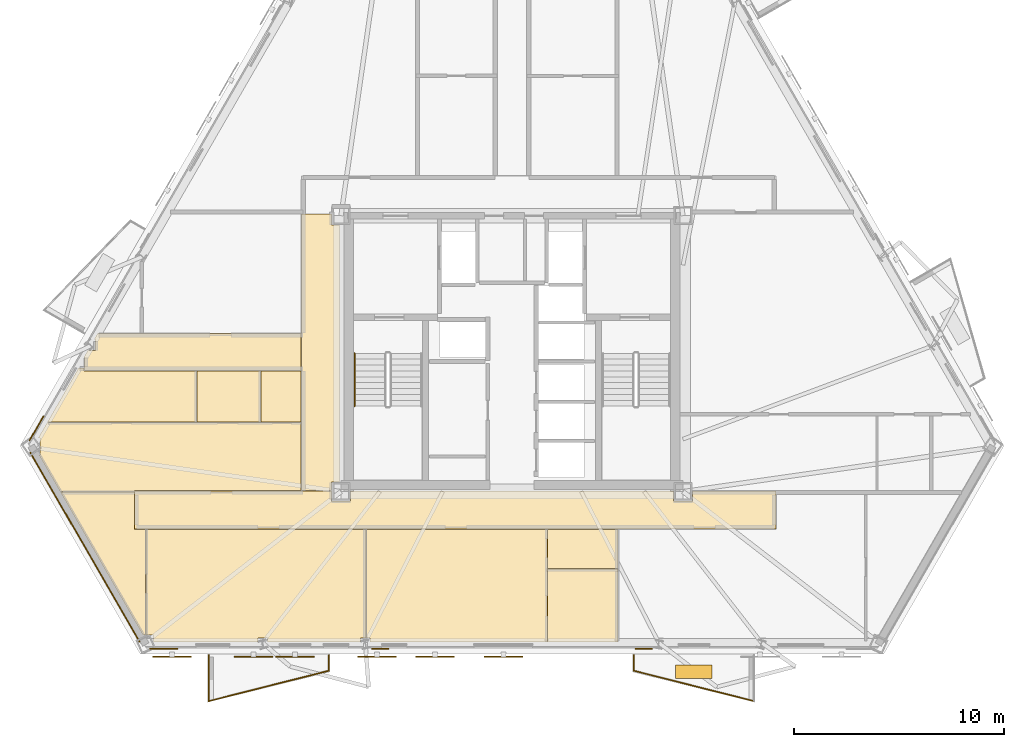
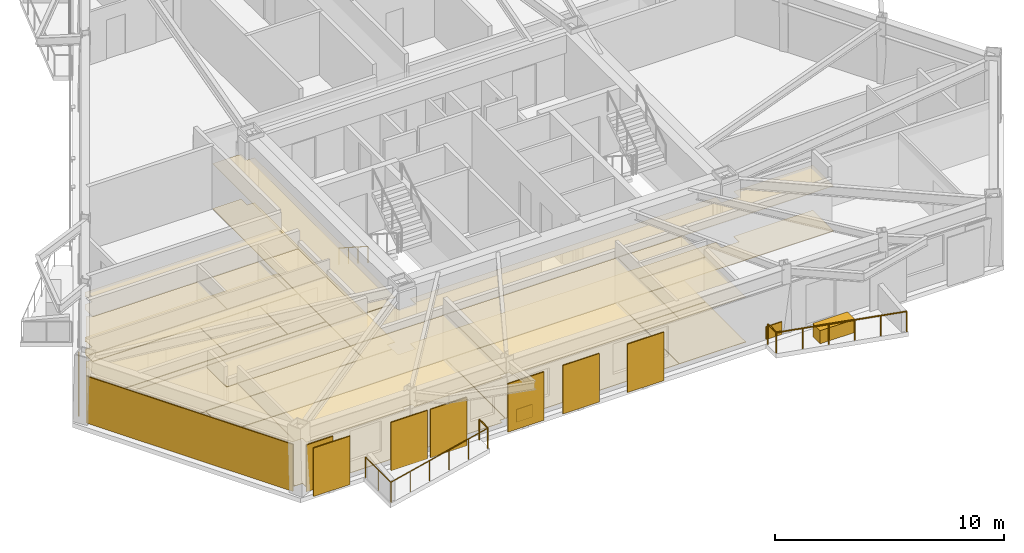
# One storey, part 7 of 9: 30 coverings, 6 railings, 6 shading devices.
"""IFC4 building model written with IfcOpenShell, lengths in metres."""

from ifc_helpers import new_model, si_unit, direction, frame, origin, origin_2d, place, context, subcontext, project, spatial, polyline, rectangle, circle, outline, extrude, material, layer, layer_set, type_object, element, save


model = new_model("IFC4")

# Units and contexts
model_context = context("Model", 3, precision=1e-05, world=origin(), true_north=direction((0.0, 1.0)))
body_context = subcontext(model_context, "Body", "Model", "MODEL_VIEW")
ifc_project = project(units=[si_unit("LENGTHUNIT", "METRE"), si_unit("AREAUNIT", "SQUARE_METRE"), si_unit("VOLUMEUNIT", "CUBIC_METRE"), si_unit("PLANEANGLEUNIT", "RADIAN"), si_unit("MASSUNIT", "GRAM", prefix="KILO")], contexts=[model_context])

# Site, building, storey
site_placement = place(None, origin())
site = spatial("IfcSite", under=ifc_project, at=site_placement, CompositionType="ELEMENT")
building_placement = place(site_placement, origin())
building = spatial("IfcBuilding", under=site, at=building_placement, Name="Oramaril Tower", CompositionType="ELEMENT")
storey_placement = place(building_placement, frame((0.0, 0.0, 119.39990234375)))
storey = spatial("IfcBuildingStorey", under=building, at=storey_placement, Name="L31", CompositionType="ELEMENT", Elevation=119.39990234375)

# Coverings
ifc_material_1 = material(Name="Mineral Fibre Acoustic Ceiling")
ifc_layer_1 = layer(ifc_material_1, 0.02001953125)
ifc_layer_set_1 = layer_set([ifc_layer_1], Name="CVT-CEIL")
covering_type_1 = type_object("IfcCoveringType", Name="CVT-CEIL", PredefinedType="CEILING", material=ifc_layer_set_1)
covering_1_placement = place(storey_placement, frame((0.0, 0.0, 2.400146484375)))
element("IfcCovering", 1, at=covering_1_placement, inside=storey, type_object=covering_type_1, Name="L31 Acoustic Suspended Ceiling 1", PredefinedType="CEILING", context=body_context, shape_type="SweptSolid", body=[
    extrude(outline(polyline([(28.905029296875, 10.554931640625), (29.794921875, 10.554931640625), (29.794921875, 11.030029296875), (45.205078125, 11.030029296875), (45.205078125, 10.554931640625), (46.094970703125, 10.554931640625), (46.094970703125, 11.030029296875), (50.080078125, 11.030029296875), (50.080078125, 9.219970703125), (19.52001953125, 9.219970703125), (19.52001953125, 11.030029296875), (28.905029296875, 11.030029296875), (28.905029296875, 10.554931640625)])), origin(), (0.0, 0.0, 1.0), 0.02001953125),
])
covering_2_placement = place(storey_placement, frame((0.0, 0.0, 2.400146484375)))
element("IfcCovering", 2, at=covering_2_placement, inside=storey, type_object=covering_type_1, Name="L31 Acoustic Suspended Ceiling 3", PredefinedType="CEILING", context=body_context, shape_type="SweptSolid", body=[
    extrude(outline(polyline([(28.905029296875, 23.705078125), (29.280029296875, 23.705078125), (29.280029296875, 11.445068359375), (28.905029296875, 11.445068359375), (28.905029296875, 11.050048828125), (27.469970703125, 11.050048828125), (27.469970703125, 24.219970703125), (28.905029296875, 24.219970703125), (28.905029296875, 23.705078125)])), origin(), (0.0, 0.0, 1.0), 0.02001953125),
])
covering_3_placement = place(storey_placement, frame((0.0, 0.0, 2.400146484375)))
element("IfcCovering", 3, at=covering_3_placement, inside=storey, type_object=covering_type_1, Name="L31 Acoustic Suspended Ceiling 5", PredefinedType="CEILING", context=body_context, shape_type="SweptSolid", body=[
    extrude(outline(polyline([(17.1201171875, 16.77001953125), (17.1201171875, 17.4345703125), (17.290771484375, 17.73046875), (17.657470703125, 17.73046875), (17.657470703125, 18.23974609375), (17.5849609375, 18.23974609375), (17.75244140625, 18.530029296875), (27.449951171875, 18.530029296875), (27.449951171875, 16.77001953125), (17.1201171875, 16.77001953125)])), origin(), (0.0, 0.0, 1.0), 0.02001953125),
])
covering_4_placement = place(storey_placement, frame((0.0, 0.0, 2.400146484375)))
element("IfcCovering", 4, at=covering_4_placement, inside=storey, type_object=covering_type_1, Name="L31 Acoustic Suspended Ceiling 6", PredefinedType="CEILING", context=body_context, shape_type="SweptSolid", body=[
    extrude(outline(polyline([(25.8564453125, 4.01904296875), (25.38525390625, 4.01904296875), (25.38525390625, 3.821044921875), (20.419189453125, 3.821044921875), (20.419189453125, 4.166015625), (20.0498046875, 4.166015625), (20.0498046875, 9.199951171875), (30.5419921875, 9.199951171875), (30.5419921875, 4.01904296875), (30.281982421875, 4.01904296875), (30.281982421875, 3.821044921875), (25.8564453125, 3.821044921875), (25.8564453125, 4.01904296875)])), origin(), (0.0, 0.0, 1.0), 0.02001953125),
])
covering_5_placement = place(storey_placement, frame((0.0, 0.0, 2.400146484375)))
element("IfcCovering", 5, at=covering_5_placement, inside=storey, type_object=covering_type_1, Name="L31 Acoustic Suspended Ceiling 7", PredefinedType="CEILING", context=body_context, shape_type="SweptSolid", body=[
    extrude(outline(polyline([(19.912353515625, 4.166015625), (15.971435546875, 10.991943359375), (19.5, 10.991943359375), (19.5, 9.219970703125), (19.5, 9.218017578125), (19.50048828125, 9.216064453125), (19.5009765625, 9.214111328125), (19.50146484375, 9.21240234375), (19.50244140625, 9.210693359375), (19.50341796875, 9.208984375), (19.50439453125, 9.207275390625), (19.505859375, 9.205810546875), (19.50732421875, 9.20458984375), (19.5087890625, 9.203369140625), (19.510498046875, 9.202392578125), (19.51220703125, 9.201416015625), (19.51416015625, 9.200927734375), (19.51611328125, 9.200439453125), (19.51806640625, 9.2001953125), (19.52001953125, 9.199951171875), (20.02978515625, 9.199951171875), (20.02978515625, 4.166015625), (19.912353515625, 4.166015625)])), origin(), (0.0, 0.0, 1.0), 0.02001953125),
])
covering_6_placement = place(storey_placement, frame((0.0, 0.0, 2.400146484375)))
element("IfcCovering", 6, at=covering_6_placement, inside=storey, type_object=covering_type_1, Name="L31 Acoustic Suspended Ceiling 8", PredefinedType="CEILING", context=body_context, shape_type="SweptSolid", body=[
    extrude(outline(polyline([(39.181884765625, 3.821044921875), (30.74267578125, 3.821044921875), (30.74267578125, 4.01904296875), (30.56201171875, 4.01904296875), (30.56201171875, 9.199951171875), (39.181884765625, 9.199951171875), (39.181884765625, 3.821044921875)])), origin(), (0.0, 0.0, 1.0), 0.02001953125),
])
covering_7_placement = place(storey_placement, frame((0.0, 0.0, 2.400146484375)))
element("IfcCovering", 7, at=covering_7_placement, inside=storey, type_object=covering_type_1, Name="L31 Acoustic Suspended Ceiling 9", PredefinedType="CEILING", context=body_context, shape_type="SweptSolid", body=[
    extrude(outline(polyline([(42.5419921875, 7.313720703125), (42.5419921875, 3.821044921875), (39.201904296875, 3.821044921875), (39.201904296875, 7.313720703125), (42.5419921875, 7.313720703125)])), origin(), (0.0, 0.0, 1.0), 0.02001953125),
])
covering_8_placement = place(storey_placement, frame((0.0, 0.0, 2.400146484375)))
element("IfcCovering", 8, at=covering_8_placement, inside=storey, type_object=covering_type_1, Name="L31 Acoustic Suspended Ceiling 10", PredefinedType="CEILING", context=body_context, shape_type="SweptSolid", body=[
    extrude(outline(polyline([(42.5419921875, 7.333740234375), (39.201904296875, 7.333740234375), (39.201904296875, 9.199951171875), (42.5419921875, 9.199951171875), (42.5419921875, 7.333740234375)])), origin(), (0.0, 0.0, 1.0), 0.02001953125),
])
covering_9_placement = place(storey_placement, frame((0.0, 0.0, 2.400146484375)))
element("IfcCovering", 9, at=covering_9_placement, inside=storey, type_object=covering_type_1, Name="L31 Acoustic Suspended Ceiling 13", PredefinedType="CEILING", context=body_context, shape_type="SweptSolid", body=[
    extrude(outline(polyline([(14.964111328125, 12.737060546875), (15.006591796875, 12.737060546875), (15.006591796875, 13.55078125), (14.92138671875, 13.55078125), (15.351806640625, 14.2958984375), (27.449951171875, 14.2958984375), (27.449951171875, 11.050048828125), (19.52001953125, 11.050048828125), (19.51806640625, 11.0498046875), (19.51611328125, 11.049560546875), (19.51416015625, 11.049072265625), (19.51220703125, 11.048583984375), (19.510498046875, 11.047607421875), (19.5087890625, 11.046630859375), (19.50732421875, 11.04541015625), (19.505859375, 11.044189453125), (19.50439453125, 11.042724609375), (19.50341796875, 11.041015625), (19.50244140625, 11.039306640625), (19.50146484375, 11.03759765625), (19.5009765625, 11.035888671875), (19.50048828125, 11.033935546875), (19.5, 11.031982421875), (19.5, 11.030029296875), (19.5, 11.011962890625), (15.971435546875, 11.011962890625), (15.969482421875, 11.011962890625), (15.967529296875, 11.01171875), (15.965576171875, 11.010986328125), (15.9638671875, 11.010498046875), (15.9619140625, 11.009521484375), (15.96142578125, 11.00927734375), (14.964111328125, 12.737060546875)])), origin(), (0.0, 0.0, 1.0), 0.02001953125),
])
covering_10_placement = place(storey_placement, frame((0.0, 0.0, 2.400146484375)))
element("IfcCovering", 10, at=covering_10_placement, inside=storey, type_object=covering_type_1, Name="L31 Acoustic Suspended Ceiling 14", PredefinedType="CEILING", context=body_context, shape_type="SweptSolid", body=[
    extrude(outline(polyline([(16.8505859375, 16.89208984375), (17.10009765625, 16.89208984375), (17.10009765625, 16.77001953125), (17.10009765625, 16.76806640625), (17.100341796875, 16.76611328125), (17.100830078125, 16.76416015625), (17.1015625, 16.76220703125), (17.102294921875, 16.760498046875), (17.103515625, 16.7587890625), (17.1044921875, 16.75732421875), (17.10595703125, 16.755859375), (17.107421875, 16.75439453125), (17.10888671875, 16.75341796875), (17.110595703125, 16.75244140625), (17.1123046875, 16.75146484375), (17.1142578125, 16.7509765625), (17.1162109375, 16.75048828125), (17.117919921875, 16.75), (17.1201171875, 16.75), (22.46826171875, 16.75), (22.46826171875, 14.31591796875), (15.36328125, 14.31591796875), (16.8505859375, 16.89208984375)])), origin(), (0.0, 0.0, 1.0), 0.02001953125),
])
covering_11_placement = place(storey_placement, frame((0.0, 0.0, 2.400146484375)))
element("IfcCovering", 11, at=covering_11_placement, inside=storey, type_object=covering_type_1, Name="L31 Acoustic Suspended Ceiling 15", PredefinedType="CEILING", context=body_context, shape_type="SweptSolid", body=[
    extrude(outline(polyline([(25.518310546875, 14.31591796875), (22.48828125, 14.31591796875), (22.48828125, 16.75), (25.518310546875, 16.75), (25.518310546875, 14.31591796875)])), origin(), (0.0, 0.0, 1.0), 0.02001953125),
])
covering_12_placement = place(storey_placement, frame((0.0, 0.0, 2.400146484375)))
element("IfcCovering", 12, at=covering_12_placement, inside=storey, type_object=covering_type_1, Name="L31 Acoustic Suspended Ceiling 16", PredefinedType="CEILING", context=body_context, shape_type="SweptSolid", body=[
    extrude(outline(polyline([(25.538330078125, 16.75), (27.449951171875, 16.75), (27.449951171875, 14.31591796875), (25.538330078125, 14.31591796875), (25.538330078125, 16.75)])), origin(), (0.0, 0.0, 1.0), 0.02001953125),
])
ifc_material_2 = material(Name="Warm Cream Limestone", Category="masonry")
ifc_layer_2 = layer(ifc_material_2, 0.050048828125)
ifc_layer_set_2 = layer_set([ifc_layer_2], Name="CVT-CLD")
covering_type_2 = type_object("IfcCoveringType", Name="CVT-CLD", PredefinedType="CLADDING", material=ifc_layer_set_2)
covering_13_placement = place(storey_placement, frame((17.149169921875, 8.350341796875, 0.0400390625), z_axis=(0.0, 0.0, 1.0), x_axis=(0.49999395399, -0.866028894422, 0.0)))
element("IfcCovering", 13, at=covering_13_placement, inside=storey, type_object=covering_type_2, Name="L31 Warm Cream Limestone Cladding", PredefinedType="CLADDING", context=body_context, shape_type="SweptSolid", body=[
    extrude(rectangle(XDim=10.432373046875, YDim=0.050048828125, at=origin_2d()), origin(), (0.0, 0.0, 1.0), 2.498046875),
])
covering_14_placement = place(storey_placement, frame((20.8994140625, 3.52001953125, 0.0400390625), z_axis=(0.0, 0.0, 1.0), x_axis=(1.0, 0.0, 0.0)))
element("IfcCovering", 14, at=covering_14_placement, inside=storey, type_object=covering_type_2, Name="L31 Warm Cream Limestone Cladding", PredefinedType="CLADDING", context=body_context, shape_type="SweptSolid", body=[
    extrude(rectangle(XDim=1.35009765625, YDim=0.050048828125, at=origin_2d()), origin(), (0.0, 0.0, 1.0), 2.498046875),
])
for number, where, z_axis, x_axis, name in (
    (15, (31.2177734375, 3.52001953125, 0.0400390625), (0.0, 0.0, 1.0), (1.0, 0.0, 0.0), "L31 Warm Cream Limestone Spandrel Cladding"),
    (16, (43.7822265625, 3.52001953125, 0.0400390625), (0.0, 0.0, 1.0), (1.0, 0.0, 0.0), "L31 Warm Cream Limestone Spandrel Cladding"),
):
    element("IfcCovering", number, at=place(storey_placement, frame(where, z_axis=z_axis, x_axis=x_axis)), inside=storey, type_object=covering_type_2, Name=name, PredefinedType="CLADDING", context=body_context, shape_type="SweptSolid", body=[
        extrude(rectangle(XDim=0.800048828125, YDim=0.050048828125, at=origin_2d()), origin(), (0.0, 0.0, 1.0), 0.679931640625),
    ])
covering_15_placement = place(storey_placement, frame((14.841064453125, 14.01318359375, 0.0400390625), z_axis=(0.0, 0.0, 1.0), x_axis=(-0.5, -0.866025403784, 0.0)))
element("IfcCovering", 17, at=covering_15_placement, inside=storey, type_object=covering_type_2, Name="L31 Warm Cream Limestone Cladding", PredefinedType="CLADDING", context=body_context, shape_type="SweptSolid", body=[
    extrude(rectangle(XDim=1.35009765625, YDim=0.050048828125, at=origin_2d()), origin(), (0.0, 0.0, 1.0), 2.498046875),
])
covering_16_placement = place(storey_placement, frame((46.166259765625, 2.41650390625, 0.0), z_axis=(0.0, 0.0, 1.0), x_axis=(1.0, 0.0, 0.0)))
element("IfcCovering", 18, at=covering_16_placement, inside=storey, type_object=covering_type_2, Name="L31 Structural Tree Planter Box L31-BAL-S2", PredefinedType="CLADDING", context=body_context, shape_type="SweptSolid", body=[
    extrude(rectangle(XDim=1.75, YDim=0.64990234375, at=origin_2d()), origin(), (0.0, 0.0, 1.0), 0.699951171875),
])
ifc_material_3 = material(Name="Honed Quartzite Stone Flooring", Category="masonry")
ifc_layer_3 = layer(ifc_material_3, 0.02490234375)
ifc_layer_set_3 = layer_set([ifc_layer_3], Name="CVT-FLR")
covering_type_3 = type_object("IfcCoveringType", Name="CVT-FLR", PredefinedType="FLOORING", material=ifc_layer_set_3)
covering_17_placement = place(storey_placement, origin())
element("IfcCovering", 19, at=covering_17_placement, inside=storey, type_object=covering_type_3, Name="L31 Honed Stone Floor Finish 1", PredefinedType="FLOORING", context=body_context, shape_type="SweptSolid", body=[
    extrude(outline(polyline([(28.905029296875, 10.554931640625), (29.794921875, 10.554931640625), (29.794921875, 11.030029296875), (45.205078125, 11.030029296875), (45.205078125, 10.554931640625), (46.094970703125, 10.554931640625), (46.094970703125, 11.030029296875), (50.080078125, 11.030029296875), (50.080078125, 9.219970703125), (19.52001953125, 9.219970703125), (19.52001953125, 11.030029296875), (28.905029296875, 11.030029296875), (28.905029296875, 10.554931640625)])), origin(), (0.0, 0.0, 1.0), 0.025146484375),
])
covering_18_placement = place(storey_placement, origin())
element("IfcCovering", 20, at=covering_18_placement, inside=storey, type_object=covering_type_3, Name="L31 Honed Stone Floor Finish 3", PredefinedType="FLOORING", context=body_context, shape_type="SweptSolid", body=[
    extrude(outline(polyline([(28.905029296875, 23.705078125), (29.280029296875, 23.705078125), (29.280029296875, 11.445068359375), (28.905029296875, 11.445068359375), (28.905029296875, 11.050048828125), (27.469970703125, 11.050048828125), (27.469970703125, 24.219970703125), (28.905029296875, 24.219970703125), (28.905029296875, 23.705078125)])), origin(), (0.0, 0.0, 1.0), 0.025146484375),
])
covering_19_placement = place(storey_placement, origin())
element("IfcCovering", 21, at=covering_19_placement, inside=storey, type_object=covering_type_3, Name="L31 Honed Stone Floor Finish 5", PredefinedType="FLOORING", context=body_context, shape_type="SweptSolid", body=[
    extrude(outline(polyline([(17.1201171875, 16.77001953125), (17.1201171875, 17.4345703125), (17.290771484375, 17.73046875), (17.657470703125, 17.73046875), (17.657470703125, 18.23974609375), (17.5849609375, 18.23974609375), (17.75244140625, 18.530029296875), (27.449951171875, 18.530029296875), (27.449951171875, 16.77001953125), (17.1201171875, 16.77001953125)])), origin(), (0.0, 0.0, 1.0), 0.025146484375),
])
covering_20_placement = place(storey_placement, origin())
element("IfcCovering", 22, at=covering_20_placement, inside=storey, type_object=covering_type_3, Name="L31 Honed Stone Floor Finish 6", PredefinedType="FLOORING", context=body_context, shape_type="SweptSolid", body=[
    extrude(outline(polyline([(25.8564453125, 4.01904296875), (25.38525390625, 4.01904296875), (25.38525390625, 3.821044921875), (20.419189453125, 3.821044921875), (20.419189453125, 4.166015625), (20.0498046875, 4.166015625), (20.0498046875, 9.199951171875), (30.5419921875, 9.199951171875), (30.5419921875, 4.01904296875), (30.281982421875, 4.01904296875), (30.281982421875, 3.821044921875), (25.8564453125, 3.821044921875), (25.8564453125, 4.01904296875)])), origin(), (0.0, 0.0, 1.0), 0.025146484375),
])
covering_21_placement = place(storey_placement, origin())
element("IfcCovering", 23, at=covering_21_placement, inside=storey, type_object=covering_type_3, Name="L31 Honed Stone Floor Finish 7", PredefinedType="FLOORING", context=body_context, shape_type="SweptSolid", body=[
    extrude(outline(polyline([(19.912353515625, 4.166015625), (15.971435546875, 10.991943359375), (19.5, 10.991943359375), (19.5, 9.219970703125), (19.5, 9.218017578125), (19.50048828125, 9.216064453125), (19.5009765625, 9.214111328125), (19.50146484375, 9.21240234375), (19.50244140625, 9.210693359375), (19.50341796875, 9.208984375), (19.50439453125, 9.207275390625), (19.505859375, 9.205810546875), (19.50732421875, 9.20458984375), (19.5087890625, 9.203369140625), (19.510498046875, 9.202392578125), (19.51220703125, 9.201416015625), (19.51416015625, 9.200927734375), (19.51611328125, 9.200439453125), (19.51806640625, 9.2001953125), (19.52001953125, 9.199951171875), (20.02978515625, 9.199951171875), (20.02978515625, 4.166015625), (19.912353515625, 4.166015625)])), origin(), (0.0, 0.0, 1.0), 0.025146484375),
])
covering_22_placement = place(storey_placement, origin())
element("IfcCovering", 24, at=covering_22_placement, inside=storey, type_object=covering_type_3, Name="L31 Honed Stone Floor Finish 8", PredefinedType="FLOORING", context=body_context, shape_type="SweptSolid", body=[
    extrude(outline(polyline([(39.181884765625, 3.821044921875), (30.74267578125, 3.821044921875), (30.74267578125, 4.01904296875), (30.56201171875, 4.01904296875), (30.56201171875, 9.199951171875), (39.181884765625, 9.199951171875), (39.181884765625, 3.821044921875)])), origin(), (0.0, 0.0, 1.0), 0.025146484375),
])
covering_23_placement = place(storey_placement, origin())
element("IfcCovering", 25, at=covering_23_placement, inside=storey, type_object=covering_type_3, Name="L31 Honed Stone Floor Finish 9", PredefinedType="FLOORING", context=body_context, shape_type="SweptSolid", body=[
    extrude(outline(polyline([(42.5419921875, 7.313720703125), (42.5419921875, 3.821044921875), (39.201904296875, 3.821044921875), (39.201904296875, 7.313720703125), (42.5419921875, 7.313720703125)])), origin(), (0.0, 0.0, 1.0), 0.025146484375),
])
covering_24_placement = place(storey_placement, origin())
element("IfcCovering", 26, at=covering_24_placement, inside=storey, type_object=covering_type_3, Name="L31 Honed Stone Floor Finish 10", PredefinedType="FLOORING", context=body_context, shape_type="SweptSolid", body=[
    extrude(outline(polyline([(42.5419921875, 7.333740234375), (39.201904296875, 7.333740234375), (39.201904296875, 9.199951171875), (42.5419921875, 9.199951171875), (42.5419921875, 7.333740234375)])), origin(), (0.0, 0.0, 1.0), 0.025146484375),
])
covering_25_placement = place(storey_placement, origin())
element("IfcCovering", 27, at=covering_25_placement, inside=storey, type_object=covering_type_3, Name="L31 Honed Stone Floor Finish 13", PredefinedType="FLOORING", context=body_context, shape_type="SweptSolid", body=[
    extrude(outline(polyline([(14.964111328125, 12.737060546875), (15.006591796875, 12.737060546875), (15.006591796875, 13.55078125), (14.92138671875, 13.55078125), (15.351806640625, 14.2958984375), (27.449951171875, 14.2958984375), (27.449951171875, 11.050048828125), (19.52001953125, 11.050048828125), (19.51806640625, 11.0498046875), (19.51611328125, 11.049560546875), (19.51416015625, 11.049072265625), (19.51220703125, 11.048583984375), (19.510498046875, 11.047607421875), (19.5087890625, 11.046630859375), (19.50732421875, 11.04541015625), (19.505859375, 11.044189453125), (19.50439453125, 11.042724609375), (19.50341796875, 11.041015625), (19.50244140625, 11.039306640625), (19.50146484375, 11.03759765625), (19.5009765625, 11.035888671875), (19.50048828125, 11.033935546875), (19.5, 11.031982421875), (19.5, 11.030029296875), (19.5, 11.011962890625), (15.971435546875, 11.011962890625), (15.969482421875, 11.011962890625), (15.967529296875, 11.01171875), (15.965576171875, 11.010986328125), (15.9638671875, 11.010498046875), (15.9619140625, 11.009521484375), (15.96142578125, 11.00927734375), (14.964111328125, 12.737060546875)])), origin(), (0.0, 0.0, 1.0), 0.025146484375),
])
covering_26_placement = place(storey_placement, origin())
element("IfcCovering", 28, at=covering_26_placement, inside=storey, type_object=covering_type_3, Name="L31 Honed Stone Floor Finish 14", PredefinedType="FLOORING", context=body_context, shape_type="SweptSolid", body=[
    extrude(outline(polyline([(16.8505859375, 16.89208984375), (17.10009765625, 16.89208984375), (17.10009765625, 16.77001953125), (17.10009765625, 16.76806640625), (17.100341796875, 16.76611328125), (17.100830078125, 16.76416015625), (17.1015625, 16.76220703125), (17.102294921875, 16.760498046875), (17.103515625, 16.7587890625), (17.1044921875, 16.75732421875), (17.10595703125, 16.755859375), (17.107421875, 16.75439453125), (17.10888671875, 16.75341796875), (17.110595703125, 16.75244140625), (17.1123046875, 16.75146484375), (17.1142578125, 16.7509765625), (17.1162109375, 16.75048828125), (17.117919921875, 16.75), (17.1201171875, 16.75), (22.46826171875, 16.75), (22.46826171875, 14.31591796875), (15.36328125, 14.31591796875), (16.8505859375, 16.89208984375)])), origin(), (0.0, 0.0, 1.0), 0.025146484375),
])
covering_27_placement = place(storey_placement, origin())
element("IfcCovering", 29, at=covering_27_placement, inside=storey, type_object=covering_type_3, Name="L31 Honed Stone Floor Finish 15", PredefinedType="FLOORING", context=body_context, shape_type="SweptSolid", body=[
    extrude(outline(polyline([(25.518310546875, 14.31591796875), (22.48828125, 14.31591796875), (22.48828125, 16.75), (25.518310546875, 16.75), (25.518310546875, 14.31591796875)])), origin(), (0.0, 0.0, 1.0), 0.025146484375),
])
covering_28_placement = place(storey_placement, origin())
element("IfcCovering", 30, at=covering_28_placement, inside=storey, type_object=covering_type_3, Name="L31 Honed Stone Floor Finish 16", PredefinedType="FLOORING", context=body_context, shape_type="SweptSolid", body=[
    extrude(outline(polyline([(25.538330078125, 16.75), (27.449951171875, 16.75), (27.449951171875, 14.31591796875), (25.538330078125, 14.31591796875), (25.538330078125, 16.75)])), origin(), (0.0, 0.0, 1.0), 0.025146484375),
])

# Railings
ifc_material_4 = material(Name="Stainless Steel 316L", Category="steel")
railing_type_1 = type_object("IfcRailingType", Name="RLT-GRD", PredefinedType="GUARDRAIL", material=ifc_material_4)
railing_1_placement = place(storey_placement, frame((28.773681640625, 3.205078125, 0.0)))
element("IfcRailing", 31, at=railing_1_placement, inside=storey, type_object=railing_type_1, Name="L31 Balcony Guardrail L31-BAL-S1.1", PredefinedType="GUARDRAIL", context=body_context, shape_type="SweptSolid", body=[
    extrude(circle(Radius=0.02392578125, at=origin_2d()), frame((0.0, 0.0, 1.076171875), z_axis=(0.0, -1.0, 0.0), x_axis=(1.0, 0.0, 0.0)), (0.0, 0.0, 1.0), 0.7421875),
    extrude(circle(Radius=0.02099609375, at=origin_2d()), origin(), (0.0, 0.0, 1.0), 1.052001953125),
    extrude(circle(Radius=0.02099609375, at=origin_2d()), frame((0.0, -0.7421875, 0.0)), (0.0, 0.0, 1.0), 1.052001953125),
])
railing_2_placement = place(storey_placement, frame((28.773681640625, 2.462890625, 0.0)))
element("IfcRailing", 32, at=railing_2_placement, inside=storey, type_object=railing_type_1, Name="L31 Balcony Guardrail L31-BAL-S1.2", PredefinedType="GUARDRAIL", context=body_context, shape_type="SweptSolid", body=[
    extrude(circle(Radius=0.02392578125, at=origin_2d()), frame((0.0, 0.0, 1.076171875), z_axis=(-0.969443611257, -0.245314256807, 0.0), x_axis=(0.245314256807, -0.969443611257, 0.0)), (0.0, 0.0, 1.0), 5.91064453125),
    extrude(circle(Radius=0.02099609375, at=origin_2d()), origin(), (0.0, 0.0, 1.0), 1.052001953125),
    extrude(circle(Radius=0.02099609375, at=origin_2d()), frame((-1.14599609375, -0.2900390625, 0.0)), (0.0, 0.0, 1.0), 1.052001953125),
    extrude(circle(Radius=0.02099609375, at=origin_2d()), frame((-2.2919921875, -0.580078125, 0.0)), (0.0, 0.0, 1.0), 1.052001953125),
    extrude(circle(Radius=0.02099609375, at=origin_2d()), frame((-3.43798828125, -0.869873046875, 0.0)), (0.0, 0.0, 1.0), 1.052001953125),
    extrude(circle(Radius=0.02099609375, at=origin_2d()), frame((-4.583984375, -1.159912109375, 0.0)), (0.0, 0.0, 1.0), 1.052001953125),
    extrude(circle(Radius=0.02099609375, at=origin_2d()), frame((-5.72998046875, -1.449951171875, 0.0)), (0.0, 0.0, 1.0), 1.052001953125),
])
railing_3_placement = place(storey_placement, frame((23.043701171875, 1.012939453125, 0.0)))
element("IfcRailing", 33, at=railing_3_placement, inside=storey, type_object=railing_type_1, Name="L31 Balcony Guardrail L31-BAL-S1.3", PredefinedType="GUARDRAIL", context=body_context, shape_type="SweptSolid", body=[
    extrude(circle(Radius=0.02392578125, at=origin_2d()), frame((0.0, 0.0, 1.076171875), z_axis=(0.0, 1.0, 0.0), x_axis=(-1.0, 0.0, 0.0)), (0.0, 0.0, 1.0), 2.192138671875),
    extrude(circle(Radius=0.02099609375, at=origin_2d()), origin(), (0.0, 0.0, 1.0), 1.052001953125),
    extrude(circle(Radius=0.02099609375, at=origin_2d()), frame((0.0, 1.09619140625, 0.0)), (0.0, 0.0, 1.0), 1.052001953125),
    extrude(circle(Radius=0.02099609375, at=origin_2d()), frame((0.0, 2.192138671875, 0.0)), (0.0, 0.0, 1.0), 1.052001953125),
])
railing_4_placement = place(storey_placement, frame((49.03125, 1.012939453125, 0.0)))
element("IfcRailing", 34, at=railing_4_placement, inside=storey, type_object=railing_type_1, Name="L31 Balcony Guardrail L31-BAL-S2.2", PredefinedType="GUARDRAIL", context=body_context, shape_type="SweptSolid", body=[
    extrude(circle(Radius=0.02392578125, at=origin_2d()), frame((0.0, 0.0, 1.076171875), z_axis=(-0.969443611257, 0.245314256807, 0.0), x_axis=(-0.245314256807, -0.969443611257, 0.0)), (0.0, 0.0, 1.0), 5.91064453125),
    extrude(circle(Radius=0.02099609375, at=origin_2d()), origin(), (0.0, 0.0, 1.0), 1.052001953125),
    extrude(circle(Radius=0.02099609375, at=origin_2d()), frame((-1.14599609375, 0.2900390625, 0.0)), (0.0, 0.0, 1.0), 1.052001953125),
    extrude(circle(Radius=0.02099609375, at=origin_2d()), frame((-2.2919921875, 0.580078125, 0.0)), (0.0, 0.0, 1.0), 1.052001953125),
    extrude(circle(Radius=0.02099609375, at=origin_2d()), frame((-3.43798828125, 0.869873046875, 0.0)), (0.0, 0.0, 1.0), 1.052001953125),
    extrude(circle(Radius=0.02099609375, at=origin_2d()), frame((-4.583984375, 1.159912109375, 0.0)), (0.0, 0.0, 1.0), 1.052001953125),
    extrude(circle(Radius=0.02099609375, at=origin_2d()), frame((-5.72998046875, 1.449951171875, 0.0)), (0.0, 0.0, 1.0), 1.052001953125),
])
railing_5_placement = place(storey_placement, frame((43.30126953125, 2.462890625, 0.0)))
element("IfcRailing", 35, at=railing_5_placement, inside=storey, type_object=railing_type_1, Name="L31 Balcony Guardrail L31-BAL-S2.3", PredefinedType="GUARDRAIL", context=body_context, shape_type="SweptSolid", body=[
    extrude(circle(Radius=0.02392578125, at=origin_2d()), frame((0.0, 0.0, 1.076171875), z_axis=(0.0, 1.0, 0.0), x_axis=(-1.0, 0.0, 0.0)), (0.0, 0.0, 1.0), 0.7421875),
    extrude(circle(Radius=0.02099609375, at=origin_2d()), origin(), (0.0, 0.0, 1.0), 1.052001953125),
    extrude(circle(Radius=0.02099609375, at=origin_2d()), frame((0.0, 0.7421875, 0.0)), (0.0, 0.0, 1.0), 1.052001953125),
])
ifc_material_5 = material(Name="Stainless Steel 316L", Category="steel")
railing_type_2 = type_object("IfcRailingType", Name="RLT-HND", PredefinedType="HANDRAIL", material=ifc_material_5)
railing_6_placement = place(storey_placement, frame((30.0, 17.590087890625, 0.18017578125)))
element("IfcRailing", 36, at=railing_6_placement, inside=storey, type_object=railing_type_2, Name="L31 ST-1 stair handrail 1", PredefinedType="HANDRAIL", context=body_context, shape_type="SweptSolid", body=[
    extrude(circle(Radius=0.02392578125, at=origin_2d()), frame((0.0, 0.0, 0.8759765625), z_axis=(0.0, -0.841199657755, 0.540724639528), x_axis=(1.0, 0.0, 0.0)), (0.0, 0.0, 1.0), 2.995849609375),
    extrude(circle(Radius=0.02099609375, at=origin_2d()), origin(), (0.0, 0.0, 1.0), 0.851806640625),
    extrude(circle(Radius=0.02099609375, at=origin_2d()), frame((0.0, -0.840087890625, 0.5400390625)), (0.0, 0.0, 1.0), 0.851806640625),
    extrude(circle(Radius=0.02099609375, at=origin_2d()), frame((0.0, -1.679931640625, 1.079833984375)), (0.0, 0.0, 1.0), 0.851806640625),
    extrude(circle(Radius=0.02099609375, at=origin_2d()), frame((0.0, -2.52001953125, 1.619873046875)), (0.0, 0.0, 1.0), 0.851806640625),
])

# Shading devices
for number, where, z_axis, x_axis, name in (
    (37, (21.28759765625, 3.133056640625, -0.02001953125), (0.0, 0.0, 1.0), (1.0, 0.0, 0.0), "L31 Perforated Ceramic Solar Screen"),
    (38, (25.1875, 3.133056640625, -0.02001953125), (0.0, 0.0, 1.0), (1.0, 0.0, 0.0), "L31 Perforated Ceramic Solar Screen"),
    (39, (27.163818359375, 3.133056640625, -0.02001953125), (0.0, 0.0, 1.0), (1.0, 0.0, 0.0), "L31 Perforated Ceramic Solar Screen"),
    (40, (31.06396484375, 3.133056640625, -0.02001953125), (0.0, 0.0, 1.0), (1.0, 0.0, 0.0), "L31 Perforated Ceramic Solar Screen"),
    (41, (33.833984375, 3.133056640625, -0.02001953125), (0.0, 0.0, 1.0), (1.0, 0.0, 0.0), "L31 Perforated Ceramic Solar Screen"),
    (42, (37.087890625, 3.133056640625, -0.02001953125), (0.0, 0.0, 1.0), (1.0, 0.0, 0.0), "L31 Perforated Ceramic Solar Screen"),
):
    element("IfcShadingDevice", number, at=place(storey_placement, frame(where, z_axis=z_axis, x_axis=x_axis)), inside=storey, Name=name, ObjectType="SCREEN", PredefinedType="USERDEFINED", context=body_context, shape_type="SweptSolid", body=[
        extrude(rectangle(XDim=1.8330078125, YDim=0.050048828125, at=origin_2d()), origin(), (0.0, 0.0, 1.0), 2.577880859375),
    ])

save(model, "model.ifc")
